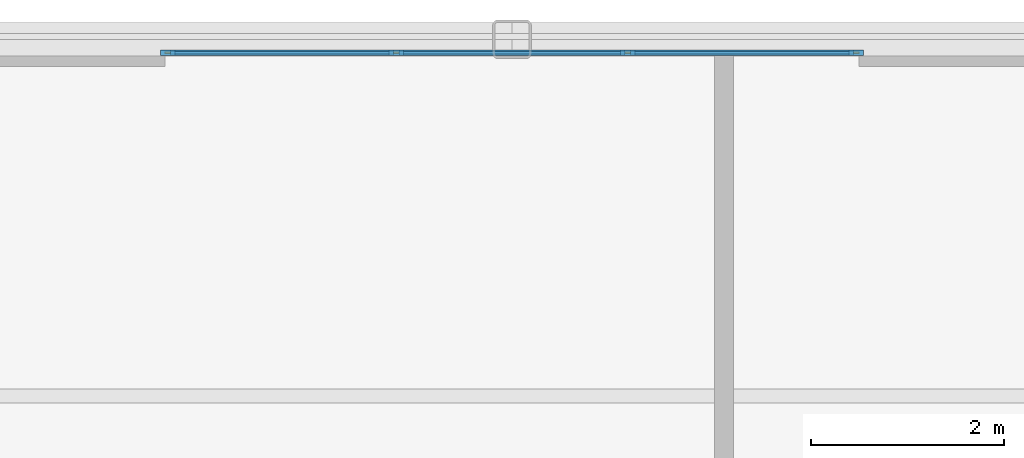
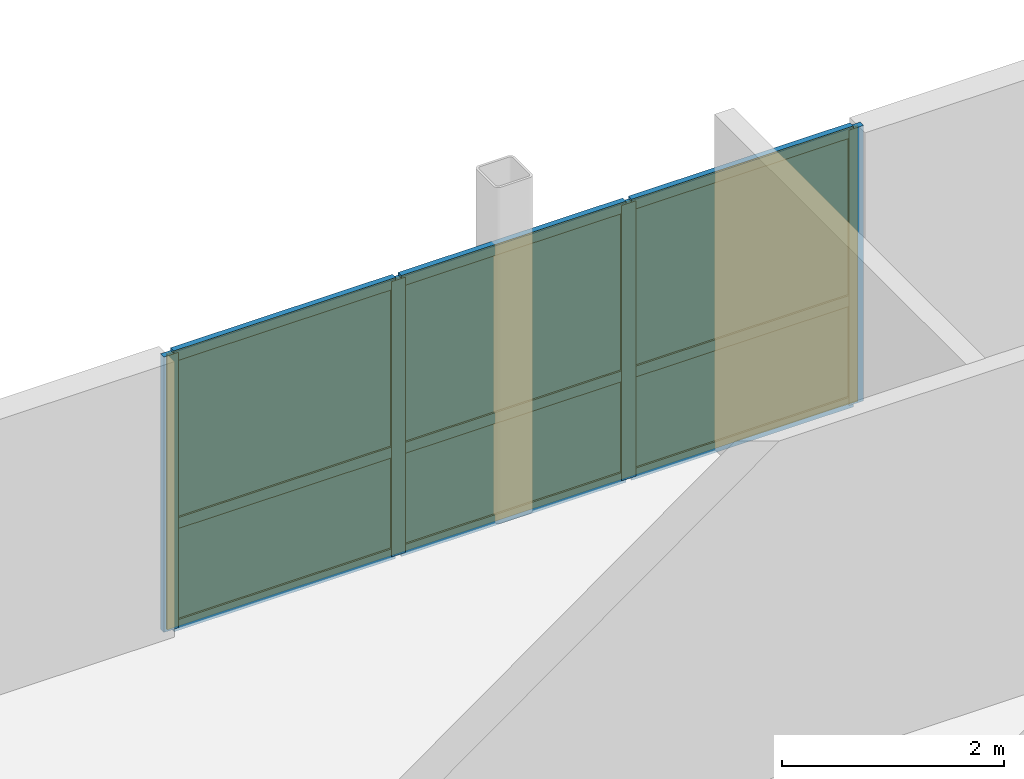
# One storey, part 6 of 10: 13 members, 6 plates, 1 curtain wall.
"""IFC4 building model written with IfcOpenShell, lengths in metres."""

from ifc_helpers import new_model, si_unit, direction, frame, frame_2d, origin, origin_2d, place, context, subcontext, project, spatial, rectangle, extrude, source, transform, mapped, material, layer, layer_set, material_profile, profile_set, type_object, type_shapes, element, aggregate, save


model = new_model("IFC4")

# Units and contexts
model_context = context("Model", 3, precision=1e-05, world=origin(), true_north=direction((0.0, 1.0)))
body_context = subcontext(model_context, "Body", "Model", "MODEL_VIEW")
ifc_project = project(units=[si_unit("LENGTHUNIT", "METRE"), si_unit("AREAUNIT", "SQUARE_METRE"), si_unit("VOLUMEUNIT", "CUBIC_METRE"), si_unit("PLANEANGLEUNIT", "RADIAN"), si_unit("MASSUNIT", "GRAM", prefix="KILO")], contexts=[model_context])

# Member
ifc_material_1 = material(Name="Anodised aluminium 6063-T6", Category="aluminium")
ifc_material_profile_1 = material_profile(ifc_material_1, rectangle(XDim=0.06005859375, YDim=0.14990234375, at=origin_2d()), Name="ALU-MULL-60x150")
ifc_profile_set_1 = profile_set([ifc_material_profile_1], Name="Anodised aluminium 6063-T6")
member_type_1 = type_object("IfcMemberType", Name="CWM-6", PredefinedType="MULLION", material=ifc_profile_set_1)
site_placement = place(None, origin())
building_placement = place(site_placement, origin())
storey_placement = place(building_placement, frame((0.0, 0.0, 303.14990234375)))
member_1_placement = place(storey_placement, frame((-3.570068359375, 16.860107421875, 0.0), z_axis=(0.0, 0.0, 1.0), x_axis=(0.0, 1.0, 0.0)))
member_1 = element("IfcMember", 1, at=member_1_placement, type_object=member_type_1, Name="CWS-6 mullion 1", PredefinedType="MULLION", context=body_context, shape_type="SweptSolid", body=[
    extrude(rectangle(XDim=0.06005859375, YDim=0.14990234375, at=origin_2d()), origin(), (0.0, 0.0, 1.0), 3.03515625),
])

member_2_placement = place(storey_placement, frame((-1.199951171875, 16.860107421875, 0.0), z_axis=(0.0, 0.0, 1.0), x_axis=(0.0, 1.0, 0.0)))
member_2 = element("IfcMember", 2, at=member_2_placement, type_object=member_type_1, Name="CWS-6 mullion 2", PredefinedType="MULLION", context=body_context, shape_type="SweptSolid", body=[
    extrude(rectangle(XDim=0.06005859375, YDim=0.14990234375, at=origin_2d()), origin(), (0.0, 0.0, 1.0), 3.03515625),
])

member_3_placement = place(storey_placement, frame((1.199951171875, 16.860107421875, 0.0), z_axis=(0.0, 0.0, 1.0), x_axis=(0.0, 1.0, 0.0)))
member_3 = element("IfcMember", 3, at=member_3_placement, type_object=member_type_1, Name="CWS-6 mullion 3", PredefinedType="MULLION", context=body_context, shape_type="SweptSolid", body=[
    extrude(rectangle(XDim=0.06005859375, YDim=0.14990234375, at=origin_2d()), origin(), (0.0, 0.0, 1.0), 3.03515625),
])

member_4_placement = place(storey_placement, frame((3.570068359375, 16.860107421875, 0.0), z_axis=(0.0, 0.0, 1.0), x_axis=(0.0, 1.0, 0.0)))
member_4 = element("IfcMember", 4, at=member_4_placement, type_object=member_type_1, Name="CWS-6 mullion 4", PredefinedType="MULLION", context=body_context, shape_type="SweptSolid", body=[
    extrude(rectangle(XDim=0.06005859375, YDim=0.14990234375, at=origin_2d()), origin(), (0.0, 0.0, 1.0), 3.03515625),
])

ifc_material_profile_2 = material_profile(ifc_material_1, rectangle(XDim=0.06005859375, YDim=0.1201171875, at=origin_2d()), Name="ALU-TRAN-60x120")
ifc_profile_set_2 = profile_set([ifc_material_profile_2], Name="Anodised aluminium 6063-T6")
member_type_2 = type_object("IfcMemberType", Name="CWT-6", PredefinedType="USERDEFINED", material=ifc_profile_set_2)
member_5_placement = place(storey_placement, frame((-3.5400390625, 16.860107421875, 0.030029296875), z_axis=(1.0, 0.0, 0.0), x_axis=(0.0, 1.0, 0.0)))
member_5 = element("IfcMember", 5, at=member_5_placement, type_object=member_type_2, Name="CWS-6 transom 1.1", ObjectType="TRANSOM", PredefinedType="USERDEFINED", context=body_context, shape_type="SweptSolid", body=[
    extrude(rectangle(XDim=0.06005859375, YDim=0.1201171875, at=origin_2d()), origin(), (0.0, 0.0, 1.0), 2.31005859375),
])

member_6_placement = place(storey_placement, frame((-3.5400390625, 16.860107421875, 1.1533203125), z_axis=(1.0, 0.0, 0.0), x_axis=(0.0, 1.0, 0.0)))
member_6 = element("IfcMember", 6, at=member_6_placement, type_object=member_type_2, Name="CWS-6 transom 1.2", ObjectType="TRANSOM", PredefinedType="USERDEFINED", context=body_context, shape_type="SweptSolid", body=[
    extrude(rectangle(XDim=0.06005859375, YDim=0.1201171875, at=origin_2d()), origin(), (0.0, 0.0, 1.0), 2.31005859375),
])

member_7_placement = place(storey_placement, frame((-3.5400390625, 16.860107421875, 3.005126953125), z_axis=(1.0, 0.0, 0.0), x_axis=(0.0, 1.0, 0.0)))
member_7 = element("IfcMember", 7, at=member_7_placement, type_object=member_type_2, Name="CWS-6 transom 1.3", ObjectType="TRANSOM", PredefinedType="USERDEFINED", context=body_context, shape_type="SweptSolid", body=[
    extrude(rectangle(XDim=0.06005859375, YDim=0.1201171875, at=origin_2d()), origin(), (0.0, 0.0, 1.0), 2.31005859375),
])

member_8_placement = place(storey_placement, frame((-1.169921875, 16.860107421875, 0.030029296875), z_axis=(1.0, 0.0, 0.0), x_axis=(0.0, 1.0, 0.0)))
member_8 = element("IfcMember", 8, at=member_8_placement, type_object=member_type_2, Name="CWS-6 transom 2.1", ObjectType="TRANSOM", PredefinedType="USERDEFINED", context=body_context, shape_type="SweptSolid", body=[
    extrude(rectangle(XDim=0.06005859375, YDim=0.1201171875, at=origin_2d()), origin(), (0.0, 0.0, 1.0), 2.33984375),
])

member_9_placement = place(storey_placement, frame((-1.169921875, 16.860107421875, 1.1533203125), z_axis=(1.0, 0.0, 0.0), x_axis=(0.0, 1.0, 0.0)))
member_9 = element("IfcMember", 9, at=member_9_placement, type_object=member_type_2, Name="CWS-6 transom 2.2", ObjectType="TRANSOM", PredefinedType="USERDEFINED", context=body_context, shape_type="SweptSolid", body=[
    extrude(rectangle(XDim=0.06005859375, YDim=0.1201171875, at=origin_2d()), origin(), (0.0, 0.0, 1.0), 2.33984375),
])

member_10_placement = place(storey_placement, frame((-1.169921875, 16.860107421875, 3.005126953125), z_axis=(1.0, 0.0, 0.0), x_axis=(0.0, 1.0, 0.0)))
member_10 = element("IfcMember", 10, at=member_10_placement, type_object=member_type_2, Name="CWS-6 transom 2.3", ObjectType="TRANSOM", PredefinedType="USERDEFINED", context=body_context, shape_type="SweptSolid", body=[
    extrude(rectangle(XDim=0.06005859375, YDim=0.1201171875, at=origin_2d()), origin(), (0.0, 0.0, 1.0), 2.33984375),
])

member_11_placement = place(storey_placement, frame((1.22998046875, 16.860107421875, 0.030029296875), z_axis=(1.0, 0.0, 0.0), x_axis=(0.0, 1.0, 0.0)))
member_11 = element("IfcMember", 11, at=member_11_placement, type_object=member_type_2, Name="CWS-6 transom 3.1", ObjectType="TRANSOM", PredefinedType="USERDEFINED", context=body_context, shape_type="SweptSolid", body=[
    extrude(rectangle(XDim=0.06005859375, YDim=0.1201171875, at=origin_2d()), origin(), (0.0, 0.0, 1.0), 2.31005859375),
])

member_12_placement = place(storey_placement, frame((1.22998046875, 16.860107421875, 1.1533203125), z_axis=(1.0, 0.0, 0.0), x_axis=(0.0, 1.0, 0.0)))
member_12 = element("IfcMember", 12, at=member_12_placement, type_object=member_type_2, Name="CWS-6 transom 3.2", ObjectType="TRANSOM", PredefinedType="USERDEFINED", context=body_context, shape_type="SweptSolid", body=[
    extrude(rectangle(XDim=0.06005859375, YDim=0.1201171875, at=origin_2d()), origin(), (0.0, 0.0, 1.0), 2.31005859375),
])

member_13_placement = place(storey_placement, frame((1.22998046875, 16.860107421875, 3.005126953125), z_axis=(1.0, 0.0, 0.0), x_axis=(0.0, 1.0, 0.0)))
member_13 = element("IfcMember", 13, at=member_13_placement, type_object=member_type_2, Name="CWS-6 transom 3.3", ObjectType="TRANSOM", PredefinedType="USERDEFINED", context=body_context, shape_type="SweptSolid", body=[
    extrude(rectangle(XDim=0.06005859375, YDim=0.1201171875, at=origin_2d()), origin(), (0.0, 0.0, 1.0), 2.31005859375),
])

# Plate
ifc_material_2 = material(Name="Insulated solar-control glass", Category="glass")
ifc_layer_1 = layer(ifc_material_2, 0.02392578125, Name="CWP-6")
ifc_layer_set_1 = layer_set([ifc_layer_1], Name="Insulated solar-control glass")
plate_type = type_object("IfcPlateType", Name="CWP-6", PredefinedType="CURTAIN_PANEL", material=ifc_layer_set_1)
shared_shape_1 = source(origin(), body_context, "Body", "SweptSolid", [
    extrude(rectangle(XDim=2.31005859375, YDim=0.02392578125, at=origin_2d()), origin(), (0.0, 0.0, 1.0), 1.063232421875),
])
plate_1_placement = place(storey_placement, frame((-2.385009765625, 16.860107421875, 0.06005859375), z_axis=(0.0, 0.0, 1.0), x_axis=(1.0, 0.0, 0.0)))
plate_1 = element("IfcPlate", 14, at=plate_1_placement, type_object=plate_type, Name="CWS-6 panel 1.1", PredefinedType="CURTAIN_PANEL", context=body_context, shape_type="MappedRepresentation", body=[
    mapped(shared_shape_1, transform((0.0, 0.0, 0.0), scale=1.0)),
])

plate_2_placement = place(storey_placement, frame((2.385009765625, 16.860107421875, 0.06005859375), z_axis=(0.0, 0.0, 1.0), x_axis=(1.0, 0.0, 0.0)))
plate_2 = element("IfcPlate", 15, at=plate_2_placement, type_object=plate_type, Name="CWS-6 panel 3.1", PredefinedType="CURTAIN_PANEL", context=body_context, shape_type="MappedRepresentation", body=[
    mapped(shared_shape_1, transform((0.0, 0.0, 0.0), scale=1.0)),
])

shared_shape_2 = source(origin(), body_context, "Body", "SweptSolid", [
    extrude(rectangle(XDim=2.31005859375, YDim=0.02392578125, at=origin_2d()), origin(), (0.0, 0.0, 1.0), 1.791748046875),
])
plate_3_placement = place(storey_placement, frame((-2.385009765625, 16.860107421875, 1.18359375), z_axis=(0.0, 0.0, 1.0), x_axis=(1.0, 0.0, 0.0)))
plate_3 = element("IfcPlate", 16, at=plate_3_placement, type_object=plate_type, Name="CWS-6 panel 1.2", PredefinedType="CURTAIN_PANEL", context=body_context, shape_type="MappedRepresentation", body=[
    mapped(shared_shape_2, transform((0.0, 0.0, 0.0), scale=1.0)),
])

plate_4_placement = place(storey_placement, frame((2.385009765625, 16.860107421875, 1.18359375), z_axis=(0.0, 0.0, 1.0), x_axis=(1.0, 0.0, 0.0)))
plate_4 = element("IfcPlate", 17, at=plate_4_placement, type_object=plate_type, Name="CWS-6 panel 3.2", PredefinedType="CURTAIN_PANEL", context=body_context, shape_type="MappedRepresentation", body=[
    mapped(shared_shape_2, transform((0.0, 0.0, 0.0), scale=1.0)),
])

shared_shape_3 = source(origin(), body_context, "Body", "SweptSolid", [
    extrude(rectangle(XDim=2.340087890625, YDim=0.02392578125, at=origin_2d()), origin(), (0.0, 0.0, 1.0), 1.063232421875),
])
plate_5_placement = place(storey_placement, frame((0.0, 16.860107421875, 0.06005859375), z_axis=(0.0, 0.0, 1.0), x_axis=(1.0, 0.0, 0.0)))
plate_5 = element("IfcPlate", 18, at=plate_5_placement, type_object=plate_type, Name="CWS-6 panel 2.1", PredefinedType="CURTAIN_PANEL", context=body_context, shape_type="MappedRepresentation", body=[
    mapped(shared_shape_3, transform((0.0, 0.0, 0.0), scale=1.0)),
])

shared_shape_4 = source(origin(), body_context, "Body", "SweptSolid", [
    extrude(rectangle(XDim=2.340087890625, YDim=0.02392578125, at=origin_2d()), origin(), (0.0, 0.0, 1.0), 1.791748046875),
])
type_shapes(plate_type, [shared_shape_1, shared_shape_2, shared_shape_3, shared_shape_4])
plate_6_placement = place(storey_placement, frame((0.0, 16.860107421875, 1.18359375), z_axis=(0.0, 0.0, 1.0), x_axis=(1.0, 0.0, 0.0)))
plate_6 = element("IfcPlate", 19, at=plate_6_placement, type_object=plate_type, Name="CWS-6 panel 2.2", PredefinedType="CURTAIN_PANEL", context=body_context, shape_type="MappedRepresentation", body=[
    mapped(shared_shape_4, transform((0.0, 0.0, 0.0), scale=1.0)),
])

# Site, building, storey
site = spatial("IfcSite", under=ifc_project, at=site_placement, CompositionType="ELEMENT")
building = spatial("IfcBuilding", under=site, at=building_placement, Name="Nuvemarco Arch Tower", CompositionType="ELEMENT")
storey = spatial("IfcBuildingStorey", under=building, at=storey_placement, Name="L80", CompositionType="ELEMENT", Elevation=303.14990234375)

# Curtain wall
ifc_layer_2 = layer(ifc_material_2, 0.14990234375, Name="CW-SYS-6")
ifc_layer_set_2 = layer_set([ifc_layer_2], Name="Insulated solar-control glass")
curtain_wall_type = type_object("IfcCurtainWallType", Name="CW-SYS-6", PredefinedType="NOTDEFINED", material=ifc_layer_set_2)
curtain_wall_placement = place(storey_placement, frame((-3.60009765625, 16.860107421875, 0.0), z_axis=(0.0, 0.0, 1.0), x_axis=(1.0, 0.0, 0.0)))
curtain_wall = element("IfcCurtainWall", 20, at=curtain_wall_placement, inside=storey, type_object=curtain_wall_type, Name="L80 curtain wall CWS-6", PredefinedType="NOTDEFINED", context=body_context, shape_type="SweptSolid", body=[
    extrude(rectangle(XDim=7.2001953125, YDim=0.02001953125, at=frame_2d((3.60009765625, 0.0))), origin(), (0.0, 0.0, 1.0), 3.03515625),
])

aggregate(curtain_wall, [member_1, member_2, member_3, member_4, member_5, member_6, member_7, plate_1, plate_3, member_8, member_9, member_10, plate_5, plate_6, member_11, member_12, member_13, plate_2, plate_4])

save(model, "model.ifc")
